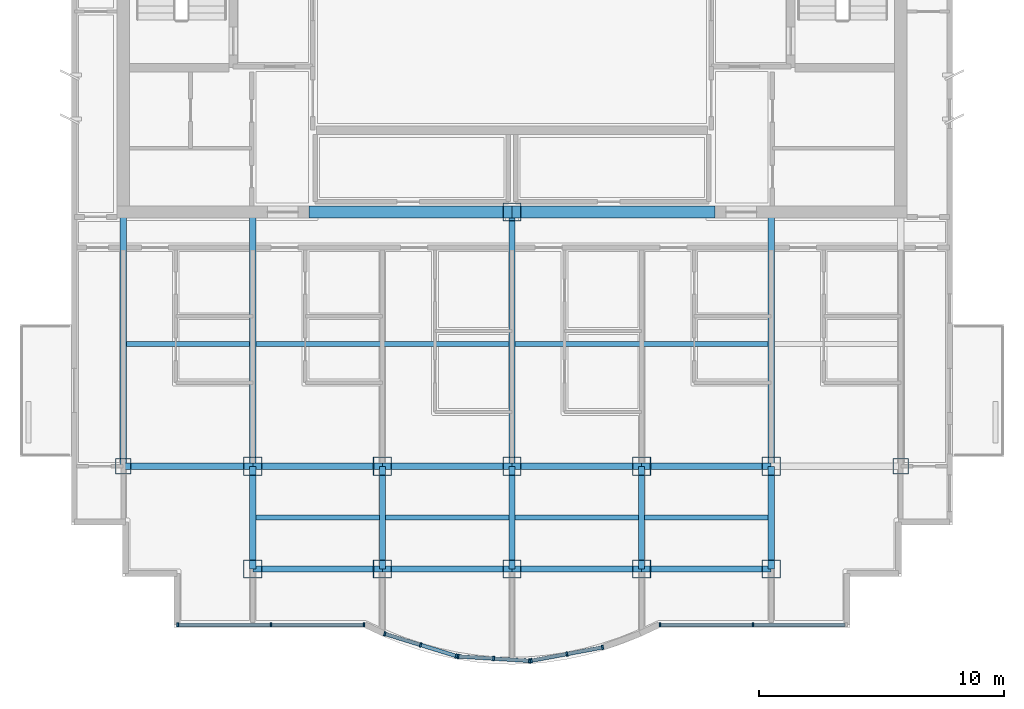
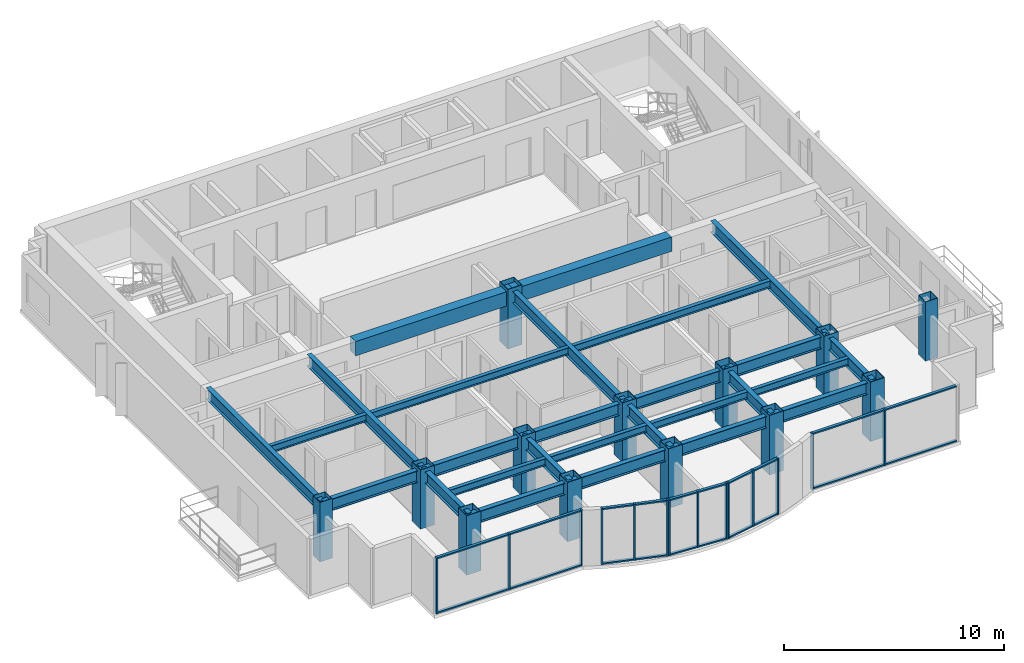
# One storey, part 1 of 9: 34 members, 27 beams, 13 columns, 5 elements without a shape of their own.
"""IFC4 building model written with IfcOpenShell, lengths in metres."""

from ifc_helpers import new_model, si_unit, direction, frame, origin, origin_2d, place, context, subcontext, project, spatial, rectangle, hollow_rectangle, i_section, extrude, source, transform, mapped, material, layer, layer_set, material_profile, profile_set, type_object, element, aggregate, save


model = new_model("IFC4")

# Units and contexts
model_context = context("Model", 3, precision=1e-05, world=origin(), true_north=direction((0.0, 1.0)))
body_context = subcontext(model_context, "Body", "Model", "MODEL_VIEW")
ifc_project = project(units=[si_unit("LENGTHUNIT", "METRE"), si_unit("AREAUNIT", "SQUARE_METRE"), si_unit("VOLUMEUNIT", "CUBIC_METRE"), si_unit("PLANEANGLEUNIT", "RADIAN"), si_unit("MASSUNIT", "GRAM", prefix="KILO")], contexts=[model_context])

# Site, building, storey
site_placement = place(None, origin())
site = spatial("IfcSite", under=ifc_project, at=site_placement, CompositionType="ELEMENT")
building_placement = place(site_placement, origin())
building = spatial("IfcBuilding", under=site, at=building_placement, Name="Qianlan Lanfeng Residences", CompositionType="ELEMENT")
storey_placement = place(building_placement, frame((0.0, 0.0, 233.0)))
storey = spatial("IfcBuildingStorey", under=building, at=storey_placement, Name="L64", CompositionType="ELEMENT", Elevation=233.0)

# Columns
ifc_material_1 = material(Name="Steel SN490B", Category="steel")
ifc_material_profile_1 = material_profile(ifc_material_1, hollow_rectangle(XDim=0.75, YDim=0.75, WallThickness=0.02490234375, at=origin_2d()), Name="BOX 750x750x25")
ifc_profile_set_1 = profile_set([ifc_material_profile_1], Name="Steel SN490B")
column_type_1 = type_object("IfcColumnType", Name="C-B800", PredefinedType="COLUMN", material=ifc_profile_set_1)
for number, where, z_axis, x_axis, name in (
    (1, (26.5, 25.199951171875, 0.0), (0.0, 0.0, 1.0), (1.0, 0.0, 0.0), "L64 Structural Column CP_26.5_25.2"),
    (2, (15.89990234375, 14.800048828125, 0.0), (0.0, 0.0, 1.0), (1.0, 0.0, 0.0), "L64 Structural Column M_15.90_14.80"),
    (3, (15.89990234375, 10.60009765625, 0.0), (0.0, 0.0, 1.0), (1.0, 0.0, 0.0), "L64 Structural Column G_15.90_10.60"),
    (4, (21.199951171875, 14.800048828125, 0.0), (0.0, 0.0, 1.0), (1.0, 0.0, 0.0), "L64 Structural Column M_21.20_14.80"),
    (5, (21.199951171875, 10.60009765625, 0.0), (0.0, 0.0, 1.0), (1.0, 0.0, 0.0), "L64 Structural Column G_21.20_10.60"),
    (6, (26.5, 14.800048828125, 0.0), (0.0, 0.0, 1.0), (1.0, 0.0, 0.0), "L64 Structural Column M_26.50_14.80"),
    (7, (26.5, 10.60009765625, 0.0), (0.0, 0.0, 1.0), (1.0, 0.0, 0.0), "L64 Structural Column G_26.50_10.60"),
    (8, (31.800048828125, 14.800048828125, 0.0), (0.0, 0.0, 1.0), (1.0, 0.0, 0.0), "L64 Structural Column M_31.80_14.80"),
    (9, (31.800048828125, 10.60009765625, 0.0), (0.0, 0.0, 1.0), (1.0, 0.0, 0.0), "L64 Structural Column G_31.80_10.60"),
    (10, (37.10009765625, 14.800048828125, 0.0), (0.0, 0.0, 1.0), (1.0, 0.0, 0.0), "L64 Structural Column M_37.10_14.80"),
    (11, (37.10009765625, 10.60009765625, 0.0), (0.0, 0.0, 1.0), (1.0, 0.0, 0.0), "L64 Structural Column G_37.10_10.60"),
):
    element("IfcColumn", number, at=place(storey_placement, frame(where, z_axis=z_axis, x_axis=x_axis)), inside=storey, type_object=column_type_1, Name=name, PredefinedType="COLUMN", context=body_context, shape_type="SweptSolid", body=[
        extrude(hollow_rectangle(XDim=0.75, YDim=0.75, WallThickness=0.02490234375, at=origin_2d()), origin(), (0.0, 0.0, 1.0), 3.300048828125),
    ])
ifc_material_profile_2 = material_profile(ifc_material_1, hollow_rectangle(XDim=0.64990234375, YDim=0.64990234375, WallThickness=0.02197265625, at=origin_2d()), Name="BOX 650x650x22")
ifc_profile_set_2 = profile_set([ifc_material_profile_2], Name="Steel SN490B")
column_type_2 = type_object("IfcColumnType", Name="CE-B700", PredefinedType="COLUMN", material=ifc_profile_set_2)
for number, where, z_axis, x_axis, name in (
    (12, (10.60009765625, 14.800048828125, 0.0), (0.0, 0.0, 1.0), (1.0, 0.0, 0.0), "L64 Structural Column M_10.60_14.80"),
    (13, (42.39990234375, 14.800048828125, 0.0), (0.0, 0.0, 1.0), (1.0, 0.0, 0.0), "L64 Structural Column M_42.40_14.80"),
):
    element("IfcColumn", number, at=place(storey_placement, frame(where, z_axis=z_axis, x_axis=x_axis)), inside=storey, type_object=column_type_2, Name=name, PredefinedType="COLUMN", context=body_context, shape_type="SweptSolid", body=[
        extrude(hollow_rectangle(XDim=0.64990234375, YDim=0.64990234375, WallThickness=0.02197265625, at=origin_2d()), origin(), (0.0, 0.0, 1.0), 3.300048828125),
    ])

# Beams
ifc_material_profile_3 = material_profile(ifc_material_1, i_section(OverallWidth=0.25, OverallDepth=0.64990234375, WebThickness=0.012939453125, FlangeThickness=0.02197265625, at=origin_2d()), Name="H 650x250x13x22")
ifc_profile_set_3 = profile_set([ifc_material_profile_3], Name="Steel SN490B")
beam_type_1 = type_object("IfcBeamType", Name="G-650", PredefinedType="BEAM", material=ifc_profile_set_3)
for number, where, z_axis, x_axis, name in (
    (14, (15.89990234375, 10.60009765625, 2.784912109375), (1.0, 0.0, 0.0), (0.0, 1.0, 0.0), "Structural beam G-650"),
    (15, (21.199951171875, 10.60009765625, 2.784912109375), (1.0, 0.0, 0.0), (0.0, 1.0, 0.0), "Structural beam G-650"),
    (16, (26.5, 10.60009765625, 2.784912109375), (1.0, 0.0, 0.0), (0.0, 1.0, 0.0), "Structural beam G-650"),
    (17, (31.800048828125, 10.60009765625, 2.784912109375), (1.0, 0.0, 0.0), (0.0, 1.0, 0.0), "Structural beam G-650"),
):
    element("IfcBeam", number, at=place(storey_placement, frame(where, z_axis=z_axis, x_axis=x_axis)), inside=storey, type_object=beam_type_1, Name=name, PredefinedType="BEAM", context=body_context, shape_type="SweptSolid", body=[
        extrude(i_section(OverallWidth=0.25, OverallDepth=0.64990234375, WebThickness=0.012939453125, FlangeThickness=0.02197265625, at=origin_2d()), origin(), (0.0, 0.0, 1.0), 5.300048828125),
    ])
beam_1_placement = place(storey_placement, frame((10.60009765625, 14.800048828125, 2.784912109375), z_axis=(1.0, 0.0, 0.0), x_axis=(0.0, 1.0, 0.0)))
element("IfcBeam", 18, at=beam_1_placement, inside=storey, type_object=beam_type_1, Name="Structural beam G-650", PredefinedType="BEAM", context=body_context, shape_type="SweptSolid", body=[
    extrude(i_section(OverallWidth=0.25, OverallDepth=0.64990234375, WebThickness=0.012939453125, FlangeThickness=0.02197265625, at=origin_2d()), origin(), (0.0, 0.0, 1.0), 5.2998046875),
])
for number, where, z_axis, x_axis, name in (
    (19, (15.89990234375, 14.800048828125, 2.784912109375), (1.0, 0.0, 0.0), (0.0, 1.0, 0.0), "Structural beam G-650"),
    (20, (21.199951171875, 14.800048828125, 2.784912109375), (1.0, 0.0, 0.0), (0.0, 1.0, 0.0), "Structural beam G-650"),
    (21, (26.5, 14.800048828125, 2.784912109375), (1.0, 0.0, 0.0), (0.0, 1.0, 0.0), "Structural beam G-650"),
    (22, (31.800048828125, 14.800048828125, 2.784912109375), (1.0, 0.0, 0.0), (0.0, 1.0, 0.0), "Structural beam G-650"),
):
    element("IfcBeam", number, at=place(storey_placement, frame(where, z_axis=z_axis, x_axis=x_axis)), inside=storey, type_object=beam_type_1, Name=name, PredefinedType="BEAM", context=body_context, shape_type="SweptSolid", body=[
        extrude(i_section(OverallWidth=0.25, OverallDepth=0.64990234375, WebThickness=0.012939453125, FlangeThickness=0.02197265625, at=origin_2d()), origin(), (0.0, 0.0, 1.0), 5.300048828125),
    ])
beam_2_placement = place(storey_placement, frame((10.60009765625, 14.800048828125, 2.784912109375), z_axis=(0.0, 1.0, 0.0), x_axis=(-1.0, 0.0, 0.0)))
element("IfcBeam", 23, at=beam_2_placement, inside=storey, type_object=beam_type_1, Name="Structural beam G-650", PredefinedType="BEAM", context=body_context, shape_type="SweptSolid", body=[
    extrude(i_section(OverallWidth=0.25, OverallDepth=0.64990234375, WebThickness=0.012939453125, FlangeThickness=0.02197265625, at=origin_2d()), origin(), (0.0, 0.0, 1.0), 10.39990234375),
])
beam_3_placement = place(storey_placement, frame((15.89990234375, 10.60009765625, 2.784912109375), z_axis=(0.0, 1.0, 0.0), x_axis=(-1.0, 0.0, 0.0)))
element("IfcBeam", 24, at=beam_3_placement, inside=storey, type_object=beam_type_1, Name="Structural beam G-650", PredefinedType="BEAM", context=body_context, shape_type="SweptSolid", body=[
    extrude(i_section(OverallWidth=0.25, OverallDepth=0.64990234375, WebThickness=0.012939453125, FlangeThickness=0.02197265625, at=origin_2d()), origin(), (0.0, 0.0, 1.0), 4.199951171875),
])
beam_4_placement = place(storey_placement, frame((15.89990234375, 14.800048828125, 2.784912109375), z_axis=(0.0, 1.0, 0.0), x_axis=(-1.0, 0.0, 0.0)))
element("IfcBeam", 25, at=beam_4_placement, inside=storey, type_object=beam_type_1, Name="Structural beam G-650", PredefinedType="BEAM", context=body_context, shape_type="SweptSolid", body=[
    extrude(i_section(OverallWidth=0.25, OverallDepth=0.64990234375, WebThickness=0.012939453125, FlangeThickness=0.02197265625, at=origin_2d()), origin(), (0.0, 0.0, 1.0), 10.39990234375),
])
for number, where, z_axis, x_axis, name in (
    (26, (21.199951171875, 10.60009765625, 2.784912109375), (0.0, 1.0, 0.0), (-1.0, 0.0, 0.0), "Structural beam G-650"),
    (27, (26.5, 10.60009765625, 2.784912109375), (0.0, 1.0, 0.0), (-1.0, 0.0, 0.0), "Structural beam G-650"),
):
    element("IfcBeam", number, at=place(storey_placement, frame(where, z_axis=z_axis, x_axis=x_axis)), inside=storey, type_object=beam_type_1, Name=name, PredefinedType="BEAM", context=body_context, shape_type="SweptSolid", body=[
        extrude(i_section(OverallWidth=0.25, OverallDepth=0.64990234375, WebThickness=0.012939453125, FlangeThickness=0.02197265625, at=origin_2d()), origin(), (0.0, 0.0, 1.0), 4.199951171875),
    ])
beam_5_placement = place(storey_placement, frame((26.5, 14.800048828125, 2.784912109375), z_axis=(0.0, 1.0, 0.0), x_axis=(-1.0, 0.0, 0.0)))
element("IfcBeam", 28, at=beam_5_placement, inside=storey, type_object=beam_type_1, Name="Structural beam G-650", PredefinedType="BEAM", context=body_context, shape_type="SweptSolid", body=[
    extrude(i_section(OverallWidth=0.25, OverallDepth=0.64990234375, WebThickness=0.012939453125, FlangeThickness=0.02197265625, at=origin_2d()), origin(), (0.0, 0.0, 1.0), 10.39990234375),
])
for number, where, z_axis, x_axis, name in (
    (29, (31.800048828125, 10.60009765625, 2.784912109375), (0.0, 1.0, 0.0), (-1.0, 0.0, 0.0), "Structural beam G-650"),
    (30, (37.10009765625, 10.60009765625, 2.784912109375), (0.0, 1.0, 0.0), (-1.0, 0.0, 0.0), "Structural beam G-650"),
):
    element("IfcBeam", number, at=place(storey_placement, frame(where, z_axis=z_axis, x_axis=x_axis)), inside=storey, type_object=beam_type_1, Name=name, PredefinedType="BEAM", context=body_context, shape_type="SweptSolid", body=[
        extrude(i_section(OverallWidth=0.25, OverallDepth=0.64990234375, WebThickness=0.012939453125, FlangeThickness=0.02197265625, at=origin_2d()), origin(), (0.0, 0.0, 1.0), 4.199951171875),
    ])
beam_6_placement = place(storey_placement, frame((37.10009765625, 14.800048828125, 2.784912109375), z_axis=(0.0, 1.0, 0.0), x_axis=(-1.0, 0.0, 0.0)))
element("IfcBeam", 31, at=beam_6_placement, inside=storey, type_object=beam_type_1, Name="Structural beam G-650", PredefinedType="BEAM", context=body_context, shape_type="SweptSolid", body=[
    extrude(i_section(OverallWidth=0.25, OverallDepth=0.64990234375, WebThickness=0.012939453125, FlangeThickness=0.02197265625, at=origin_2d()), origin(), (0.0, 0.0, 1.0), 10.39990234375),
])
ifc_material_profile_4 = material_profile(ifc_material_1, i_section(OverallWidth=0.199951171875, OverallDepth=0.39990234375, WebThickness=0.008056640625, FlangeThickness=0.012939453125, at=origin_2d()), Name="H 400x200x8x13")
ifc_profile_set_4 = profile_set([ifc_material_profile_4], Name="Steel SN490B")
beam_type_2 = type_object("IfcBeamType", Name="J-400", PredefinedType="JOIST", material=ifc_profile_set_4)
for number, where, z_axis, x_axis, name in (
    (32, (16.02490234375, 12.699951171875, 2.909912109375), (1.0, 0.0, 0.0), (0.0, 1.0, 0.0), "Structural beam J-400"),
    (33, (21.324951171875, 12.699951171875, 2.909912109375), (1.0, 0.0, 0.0), (0.0, 1.0, 0.0), "Structural beam J-400"),
    (34, (26.625, 12.699951171875, 2.909912109375), (1.0, 0.0, 0.0), (0.0, 1.0, 0.0), "Structural beam J-400"),
    (35, (31.925048828125, 12.699951171875, 2.909912109375), (1.0, 0.0, 0.0), (0.0, 1.0, 0.0), "Structural beam J-400"),
):
    element("IfcBeam", number, at=place(storey_placement, frame(where, z_axis=z_axis, x_axis=x_axis)), inside=storey, type_object=beam_type_2, Name=name, PredefinedType="JOIST", context=body_context, shape_type="SweptSolid", body=[
        extrude(i_section(OverallWidth=0.199951171875, OverallDepth=0.39990234375, WebThickness=0.008056640625, FlangeThickness=0.012939453125, at=origin_2d()), origin(), (0.0, 0.0, 1.0), 5.050048828125),
    ])
beam_7_placement = place(storey_placement, frame((10.72509765625, 19.800048828125, 2.909912109375), z_axis=(1.0, 0.0, 0.0), x_axis=(0.0, 1.0, 0.0)))
element("IfcBeam", 36, at=beam_7_placement, inside=storey, type_object=beam_type_2, Name="Structural beam J-400", PredefinedType="JOIST", context=body_context, shape_type="SweptSolid", body=[
    extrude(i_section(OverallWidth=0.199951171875, OverallDepth=0.39990234375, WebThickness=0.008056640625, FlangeThickness=0.012939453125, at=origin_2d()), origin(), (0.0, 0.0, 1.0), 5.0498046875),
])
for number, where, z_axis, x_axis, name in (
    (37, (16.02490234375, 19.800048828125, 2.909912109375), (1.0, 0.0, 0.0), (0.0, 1.0, 0.0), "Structural beam J-400"),
    (38, (26.625, 19.800048828125, 2.909912109375), (1.0, 0.0, 0.0), (0.0, 1.0, 0.0), "Structural beam J-400"),
):
    element("IfcBeam", number, at=place(storey_placement, frame(where, z_axis=z_axis, x_axis=x_axis)), inside=storey, type_object=beam_type_2, Name=name, PredefinedType="JOIST", context=body_context, shape_type="SweptSolid", body=[
        extrude(i_section(OverallWidth=0.199951171875, OverallDepth=0.39990234375, WebThickness=0.008056640625, FlangeThickness=0.012939453125, at=origin_2d()), origin(), (0.0, 0.0, 1.0), 10.35009765625),
    ])
ifc_material_2 = material(Name="Concrete C49", Category="concrete")
ifc_material_profile_5 = material_profile(ifc_material_2, rectangle(XDim=0.5, YDim=0.800048828125, at=origin_2d()), Name="RC 500x800")
ifc_profile_set_5 = profile_set([ifc_material_profile_5], Name="Concrete C49")
beam_type_3 = type_object("IfcBeamType", Name="LB-RC750", PredefinedType="BEAM", material=ifc_profile_set_5)
for number, where, z_axis, x_axis, name in (
    (39, (18.199951171875, 25.199951171875, 2.7099609375), (1.0, 0.0, 0.0), (0.0, 1.0, 0.0), "L64 Core Coupling Beam W"),
    (40, (26.5, 25.199951171875, 2.7099609375), (1.0, 0.0, 0.0), (0.0, 1.0, 0.0), "L64 Core Coupling Beam E"),
):
    element("IfcBeam", number, at=place(storey_placement, frame(where, z_axis=z_axis, x_axis=x_axis)), inside=storey, type_object=beam_type_3, Name=name, PredefinedType="BEAM", context=body_context, shape_type="SweptSolid", body=[
        extrude(rectangle(XDim=0.5, YDim=0.800048828125, at=origin_2d()), origin(), (0.0, 0.0, 1.0), 8.300048828125),
    ])

# Curtain wall, members
ifc_material_3 = material(Name="Anodised Bronze Aluminium 6063-T6", Category="aluminium")
ifc_layer = layer(ifc_material_3, 0.219970703125)
ifc_layer_set = layer_set([ifc_layer], Name="Anodised Bronze Aluminium 6063-T6")
curtain_wall_type = type_object("IfcCurtainWallType", Name="CW-06", PredefinedType="NOTDEFINED", material=ifc_layer_set)
curtain_wall_1_placement = place(storey_placement, origin())
curtain_wall_1 = element("IfcCurtainWall", 41, at=curtain_wall_1_placement, inside=storey, type_object=curtain_wall_type, Name="L64 Unitised Curtain Wall CWR-L64-01 (CW-06)", PredefinedType="NOTDEFINED")
ifc_material_profile_6 = material_profile(ifc_material_3, rectangle(XDim=0.074951171875, YDim=0.179931640625, at=origin_2d()), Name="ALU MULLION 75x180")
ifc_profile_set_6 = profile_set([ifc_material_profile_6], Name="Anodised Bronze Aluminium 6063-T6")
member_type_1 = type_object("IfcMemberType", Name="CWM-180", PredefinedType="MULLION", material=ifc_profile_set_6)
shared_shape_1 = source(origin(), body_context, "Body", "SweptSolid", [
    extrude(rectangle(XDim=0.074951171875, YDim=0.179931640625, at=origin_2d()), origin(), (0.0, 0.0, 1.0), 3.110107421875),
])
member_1_placement = place(storey_placement, frame((12.83740234375, 8.320068359375, 0.0), z_axis=(0.0, 0.0, 1.0), x_axis=(1.0, 0.0, 0.0)))
member_1 = element("IfcMember", 42, at=member_1_placement, type_object=member_type_1, Name="CWR-L64-01 Mullion 1", PredefinedType="MULLION", context=body_context, shape_type="MappedRepresentation", body=[
    mapped(shared_shape_1, transform((0.0, 0.0, 0.0), scale=1.0)),
])
member_2_placement = place(storey_placement, frame((16.6435546875, 8.320068359375, 0.0), z_axis=(0.0, 0.0, 1.0), x_axis=(1.0, 0.0, 0.0)))
member_2 = element("IfcMember", 43, at=member_2_placement, type_object=member_type_1, Name="CWR-L64-01 Mullion 2", PredefinedType="MULLION", context=body_context, shape_type="MappedRepresentation", body=[
    mapped(shared_shape_1, transform((0.0, 0.0, 0.0), scale=1.0)),
])
member_3_placement = place(storey_placement, frame((20.449462890625, 8.320068359375, 0.0), z_axis=(0.0, 0.0, 1.0), x_axis=(1.0, 0.0, 0.0)))
member_3 = element("IfcMember", 44, at=member_3_placement, type_object=member_type_1, Name="CWR-L64-01 Mullion 3", PredefinedType="MULLION", context=body_context, shape_type="MappedRepresentation", body=[
    mapped(shared_shape_1, transform((0.0, 0.0, 0.0), scale=1.0)),
])

curtain_wall_2_placement = place(storey_placement, origin())
curtain_wall_2 = element("IfcCurtainWall", 45, at=curtain_wall_2_placement, inside=storey, type_object=curtain_wall_type, Name="L64 Unitised Curtain Wall CWR-L64-02 (CW-06)", PredefinedType="NOTDEFINED")
member_4_placement = place(storey_placement, frame((21.298828125, 7.947021484375, 0.0), z_axis=(0.0, 0.0, 1.0), x_axis=(0.955079962155, -0.296348217287, 0.0)))
member_4 = element("IfcMember", 46, at=member_4_placement, type_object=member_type_1, Name="CWR-L64-02 Mullion 1", PredefinedType="MULLION", context=body_context, shape_type="MappedRepresentation", body=[
    mapped(shared_shape_1, transform((0.0, 0.0, 0.0), scale=1.0)),
])
member_5_placement = place(storey_placement, frame((22.760009765625, 7.493408203125, 0.0), z_axis=(0.0, 0.0, 1.0), x_axis=(0.955079962155, -0.296348217287, 0.0)))
member_5 = element("IfcMember", 47, at=member_5_placement, type_object=member_type_1, Name="CWR-L64-02 Mullion 2", PredefinedType="MULLION", context=body_context, shape_type="MappedRepresentation", body=[
    mapped(shared_shape_1, transform((0.0, 0.0, 0.0), scale=1.0)),
])
member_6_placement = place(storey_placement, frame((24.22119140625, 7.0400390625, 0.0), z_axis=(0.0, 0.0, 1.0), x_axis=(0.955079962155, -0.296348217287, 0.0)))
member_6 = element("IfcMember", 48, at=member_6_placement, type_object=member_type_1, Name="CWR-L64-02 Mullion 3", PredefinedType="MULLION", context=body_context, shape_type="MappedRepresentation", body=[
    mapped(shared_shape_1, transform((0.0, 0.0, 0.0), scale=1.0)),
])

curtain_wall_3_placement = place(storey_placement, origin())
curtain_wall_3 = element("IfcCurtainWall", 49, at=curtain_wall_3_placement, inside=storey, type_object=curtain_wall_type, Name="L64 Unitised Curtain Wall CWR-L64-03 (CW-06)", PredefinedType="NOTDEFINED")
member_7_placement = place(storey_placement, frame((24.29443359375, 7.026611328125, 0.0), z_axis=(0.0, 0.0, 1.0), x_axis=(0.998072054859, -0.062065878781, 0.0)))
member_7 = element("IfcMember", 50, at=member_7_placement, type_object=member_type_1, Name="CWR-L64-03 Mullion 1", PredefinedType="MULLION", context=body_context, shape_type="MappedRepresentation", body=[
    mapped(shared_shape_1, transform((0.0, 0.0, 0.0), scale=1.0)),
])
member_8_placement = place(storey_placement, frame((25.75244140625, 6.93603515625, 0.0), z_axis=(0.0, 0.0, 1.0), x_axis=(0.998072054859, -0.062065878781, 0.0)))
member_8 = element("IfcMember", 51, at=member_8_placement, type_object=member_type_1, Name="CWR-L64-03 Mullion 2", PredefinedType="MULLION", context=body_context, shape_type="MappedRepresentation", body=[
    mapped(shared_shape_1, transform((0.0, 0.0, 0.0), scale=1.0)),
])
member_9_placement = place(storey_placement, frame((27.210693359375, 6.84521484375, 0.0), z_axis=(0.0, 0.0, 1.0), x_axis=(0.998072054859, -0.062065878781, 0.0)))
member_9 = element("IfcMember", 52, at=member_9_placement, type_object=member_type_1, Name="CWR-L64-03 Mullion 3", PredefinedType="MULLION", context=body_context, shape_type="MappedRepresentation", body=[
    mapped(shared_shape_1, transform((0.0, 0.0, 0.0), scale=1.0)),
])

curtain_wall_4_placement = place(storey_placement, origin())
curtain_wall_4 = element("IfcCurtainWall", 53, at=curtain_wall_4_placement, inside=storey, type_object=curtain_wall_type, Name="L64 Unitised Curtain Wall CWR-L64-04 (CW-06)", PredefinedType="NOTDEFINED")
member_10_placement = place(storey_placement, frame((27.284912109375, 6.849853515625, 0.0), z_axis=(0.0, 0.0, 1.0), x_axis=(0.983039214023, 0.183395484386, 0.0)))
member_10 = element("IfcMember", 54, at=member_10_placement, type_object=member_type_1, Name="CWR-L64-04 Mullion 1", PredefinedType="MULLION", context=body_context, shape_type="MappedRepresentation", body=[
    mapped(shared_shape_1, transform((0.0, 0.0, 0.0), scale=1.0)),
])
member_11_placement = place(storey_placement, frame((28.743408203125, 7.1220703125, 0.0), z_axis=(0.0, 0.0, 1.0), x_axis=(0.983039214023, 0.183395484386, 0.0)))
member_11 = element("IfcMember", 55, at=member_11_placement, type_object=member_type_1, Name="CWR-L64-04 Mullion 2", PredefinedType="MULLION", context=body_context, shape_type="MappedRepresentation", body=[
    mapped(shared_shape_1, transform((0.0, 0.0, 0.0), scale=1.0)),
])
member_12_placement = place(storey_placement, frame((30.2021484375, 7.39404296875, 0.0), z_axis=(0.0, 0.0, 1.0), x_axis=(0.983039214023, 0.183395484386, 0.0)))
member_12 = element("IfcMember", 56, at=member_12_placement, type_object=member_type_1, Name="CWR-L64-04 Mullion 3", PredefinedType="MULLION", context=body_context, shape_type="MappedRepresentation", body=[
    mapped(shared_shape_1, transform((0.0, 0.0, 0.0), scale=1.0)),
])

curtain_wall_5_placement = place(storey_placement, origin())
curtain_wall_5 = element("IfcCurtainWall", 57, at=curtain_wall_5_placement, inside=storey, type_object=curtain_wall_type, Name="L64 Unitised Curtain Wall CWR-L64-05 (CW-06)", PredefinedType="NOTDEFINED")
member_13_placement = place(storey_placement, frame((32.550537109375, 8.320068359375, 0.0), z_axis=(0.0, 0.0, 1.0), x_axis=(1.0, 0.0, 0.0)))
member_13 = element("IfcMember", 58, at=member_13_placement, type_object=member_type_1, Name="CWR-L64-05 Mullion 1", PredefinedType="MULLION", context=body_context, shape_type="MappedRepresentation", body=[
    mapped(shared_shape_1, transform((0.0, 0.0, 0.0), scale=1.0)),
])
member_14_placement = place(storey_placement, frame((36.3564453125, 8.320068359375, 0.0), z_axis=(0.0, 0.0, 1.0), x_axis=(1.0, 0.0, 0.0)))
member_14 = element("IfcMember", 59, at=member_14_placement, type_object=member_type_1, Name="CWR-L64-05 Mullion 2", PredefinedType="MULLION", context=body_context, shape_type="MappedRepresentation", body=[
    mapped(shared_shape_1, transform((0.0, 0.0, 0.0), scale=1.0)),
])

# Member
ifc_material_profile_7 = material_profile(ifc_material_3, rectangle(XDim=0.074951171875, YDim=0.14990234375, at=origin_2d()), Name="ALU TRANSOM 75x150")
ifc_profile_set_7 = profile_set([ifc_material_profile_7], Name="Anodised Bronze Aluminium 6063-T6")
member_type_2 = type_object("IfcMemberType", Name="CWT-150", PredefinedType="USERDEFINED", material=ifc_profile_set_7)
shared_shape_2 = source(origin(), body_context, "Body", "SweptSolid", [
    extrude(rectangle(XDim=0.074951171875, YDim=0.14990234375, at=origin_2d()), origin(), (0.0, 0.0, 1.0), 3.73095703125),
])
member_15_placement = place(storey_placement, frame((12.875, 8.320068359375, 0.03759765625), z_axis=(1.0, 0.0, 0.0), x_axis=(0.0, 0.0, 1.0)))
member_15 = element("IfcMember", 60, at=member_15_placement, type_object=member_type_2, Name="CWR-L64-01 Transom 1-BOT", ObjectType="TRANSOM", PredefinedType="USERDEFINED", context=body_context, shape_type="MappedRepresentation", body=[
    mapped(shared_shape_2, transform((0.0, 0.0, 0.0), scale=1.0)),
])

member_16_placement = place(storey_placement, frame((12.875, 8.320068359375, 3.072509765625), z_axis=(1.0, 0.0, 0.0), x_axis=(0.0, 0.0, 1.0)))
member_16 = element("IfcMember", 61, at=member_16_placement, type_object=member_type_2, Name="CWR-L64-01 Transom 1-TOP", ObjectType="TRANSOM", PredefinedType="USERDEFINED", context=body_context, shape_type="MappedRepresentation", body=[
    mapped(shared_shape_2, transform((0.0, 0.0, 0.0), scale=1.0)),
])

member_17_placement = place(storey_placement, frame((36.39404296875, 8.320068359375, 0.03759765625), z_axis=(1.0, 0.0, 0.0), x_axis=(0.0, 0.0, 1.0)))
member_17 = element("IfcMember", 62, at=member_17_placement, type_object=member_type_2, Name="CWR-L64-05 Transom 2-BOT", ObjectType="TRANSOM", PredefinedType="USERDEFINED", context=body_context, shape_type="MappedRepresentation", body=[
    mapped(shared_shape_2, transform((0.0, 0.0, 0.0), scale=1.0)),
])

member_18_placement = place(storey_placement, frame((36.39404296875, 8.320068359375, 3.072509765625), z_axis=(1.0, 0.0, 0.0), x_axis=(0.0, 0.0, 1.0)))
member_18 = element("IfcMember", 63, at=member_18_placement, type_object=member_type_2, Name="CWR-L64-05 Transom 2-TOP", ObjectType="TRANSOM", PredefinedType="USERDEFINED", context=body_context, shape_type="MappedRepresentation", body=[
    mapped(shared_shape_2, transform((0.0, 0.0, 0.0), scale=1.0)),
])

shared_shape_3 = source(origin(), body_context, "Body", "SweptSolid", [
    extrude(rectangle(XDim=0.074951171875, YDim=0.14990234375, at=origin_2d()), origin(), (0.0, 0.0, 1.0), 3.731201171875),
])
member_19_placement = place(storey_placement, frame((16.680908203125, 8.320068359375, 0.03759765625), z_axis=(1.0, 0.0, 0.0), x_axis=(0.0, 0.0, 1.0)))
member_19 = element("IfcMember", 64, at=member_19_placement, type_object=member_type_2, Name="CWR-L64-01 Transom 2-BOT", ObjectType="TRANSOM", PredefinedType="USERDEFINED", context=body_context, shape_type="MappedRepresentation", body=[
    mapped(shared_shape_3, transform((0.0, 0.0, 0.0), scale=1.0)),
])

member_20_placement = place(storey_placement, frame((16.680908203125, 8.320068359375, 3.072509765625), z_axis=(1.0, 0.0, 0.0), x_axis=(0.0, 0.0, 1.0)))
member_20 = element("IfcMember", 65, at=member_20_placement, type_object=member_type_2, Name="CWR-L64-01 Transom 2-TOP", ObjectType="TRANSOM", PredefinedType="USERDEFINED", context=body_context, shape_type="MappedRepresentation", body=[
    mapped(shared_shape_3, transform((0.0, 0.0, 0.0), scale=1.0)),
])

aggregate(curtain_wall_1, [member_1, member_2, member_3, member_15, member_16, member_19, member_20])

member_21_placement = place(storey_placement, frame((32.587890625, 8.320068359375, 0.03759765625), z_axis=(1.0, 0.0, 0.0), x_axis=(0.0, 0.0, 1.0)))
member_21 = element("IfcMember", 66, at=member_21_placement, type_object=member_type_2, Name="CWR-L64-05 Transom 1-BOT", ObjectType="TRANSOM", PredefinedType="USERDEFINED", context=body_context, shape_type="MappedRepresentation", body=[
    mapped(shared_shape_3, transform((0.0, 0.0, 0.0), scale=1.0)),
])

member_22_placement = place(storey_placement, frame((32.587890625, 8.320068359375, 3.072509765625), z_axis=(1.0, 0.0, 0.0), x_axis=(0.0, 0.0, 1.0)))
member_22 = element("IfcMember", 67, at=member_22_placement, type_object=member_type_2, Name="CWR-L64-05 Transom 1-TOP", ObjectType="TRANSOM", PredefinedType="USERDEFINED", context=body_context, shape_type="MappedRepresentation", body=[
    mapped(shared_shape_3, transform((0.0, 0.0, 0.0), scale=1.0)),
])

aggregate(curtain_wall_5, [member_13, member_14, member_21, member_22, member_17, member_18])

shared_shape_4 = source(origin(), body_context, "Body", "SweptSolid", [
    extrude(rectangle(XDim=0.074951171875, YDim=0.14990234375, at=origin_2d()), origin(), (0.0, 0.0, 1.0), 1.454833984375),
])
member_23_placement = place(storey_placement, frame((21.334716796875, 7.935791015625, 0.03759765625), z_axis=(0.955072327302, -0.296372822002, 0.0), x_axis=(0.0, 0.0, 1.0)))
member_23 = element("IfcMember", 68, at=member_23_placement, type_object=member_type_2, Name="CWR-L64-02 Transom 1-BOT", ObjectType="TRANSOM", PredefinedType="USERDEFINED", context=body_context, shape_type="MappedRepresentation", body=[
    mapped(shared_shape_4, transform((0.0, 0.0, 0.0), scale=1.0)),
])

member_24_placement = place(storey_placement, frame((21.334716796875, 7.935791015625, 3.072509765625), z_axis=(0.955072327302, -0.296372822002, 0.0), x_axis=(0.0, 0.0, 1.0)))
member_24 = element("IfcMember", 69, at=member_24_placement, type_object=member_type_2, Name="CWR-L64-02 Transom 1-TOP", ObjectType="TRANSOM", PredefinedType="USERDEFINED", context=body_context, shape_type="MappedRepresentation", body=[
    mapped(shared_shape_4, transform((0.0, 0.0, 0.0), scale=1.0)),
])

member_25_placement = place(storey_placement, frame((22.7958984375, 7.482421875, 0.03759765625), z_axis=(0.955072327302, -0.296372822002, 0.0), x_axis=(0.0, 0.0, 1.0)))
member_25 = element("IfcMember", 70, at=member_25_placement, type_object=member_type_2, Name="CWR-L64-02 Transom 2-BOT", ObjectType="TRANSOM", PredefinedType="USERDEFINED", context=body_context, shape_type="MappedRepresentation", body=[
    mapped(shared_shape_4, transform((0.0, 0.0, 0.0), scale=1.0)),
])

member_26_placement = place(storey_placement, frame((22.7958984375, 7.482421875, 3.072509765625), z_axis=(0.955072327302, -0.296372822002, 0.0), x_axis=(0.0, 0.0, 1.0)))
member_26 = element("IfcMember", 71, at=member_26_placement, type_object=member_type_2, Name="CWR-L64-02 Transom 2-TOP", ObjectType="TRANSOM", PredefinedType="USERDEFINED", context=body_context, shape_type="MappedRepresentation", body=[
    mapped(shared_shape_4, transform((0.0, 0.0, 0.0), scale=1.0)),
])

aggregate(curtain_wall_2, [member_4, member_5, member_6, member_23, member_24, member_25, member_26])

shared_shape_5 = source(origin(), body_context, "Body", "SweptSolid", [
    extrude(rectangle(XDim=0.074951171875, YDim=0.14990234375, at=origin_2d()), origin(), (0.0, 0.0, 1.0), 1.385986328125),
])
member_27_placement = place(storey_placement, frame((24.331787109375, 7.0244140625, 0.03759765625), z_axis=(0.998064896304, -0.062180887468, 0.0), x_axis=(0.0, 0.0, 1.0)))
member_27 = element("IfcMember", 72, at=member_27_placement, type_object=member_type_2, Name="CWR-L64-03 Transom 1-BOT", ObjectType="TRANSOM", PredefinedType="USERDEFINED", context=body_context, shape_type="MappedRepresentation", body=[
    mapped(shared_shape_5, transform((0.0, 0.0, 0.0), scale=1.0)),
])

member_28_placement = place(storey_placement, frame((24.331787109375, 7.0244140625, 3.072509765625), z_axis=(0.998064896304, -0.062180887468, 0.0), x_axis=(0.0, 0.0, 1.0)))
member_28 = element("IfcMember", 73, at=member_28_placement, type_object=member_type_2, Name="CWR-L64-03 Transom 1-TOP", ObjectType="TRANSOM", PredefinedType="USERDEFINED", context=body_context, shape_type="MappedRepresentation", body=[
    mapped(shared_shape_5, transform((0.0, 0.0, 0.0), scale=1.0)),
])

member_29_placement = place(storey_placement, frame((25.789794921875, 6.93359375, 0.03759765625), z_axis=(0.998075812955, -0.062005415842, 0.0), x_axis=(0.0, 0.0, 1.0)))
member_29 = element("IfcMember", 74, at=member_29_placement, type_object=member_type_2, Name="CWR-L64-03 Transom 2-BOT", ObjectType="TRANSOM", PredefinedType="USERDEFINED", context=body_context, shape_type="MappedRepresentation", body=[
    mapped(shared_shape_5, transform((0.0, 0.0, 0.0), scale=1.0)),
])

member_30_placement = place(storey_placement, frame((25.789794921875, 6.93359375, 3.072509765625), z_axis=(0.998075812955, -0.062005415842, 0.0), x_axis=(0.0, 0.0, 1.0)))
member_30 = element("IfcMember", 75, at=member_30_placement, type_object=member_type_2, Name="CWR-L64-03 Transom 2-TOP", ObjectType="TRANSOM", PredefinedType="USERDEFINED", context=body_context, shape_type="MappedRepresentation", body=[
    mapped(shared_shape_5, transform((0.0, 0.0, 0.0), scale=1.0)),
])

aggregate(curtain_wall_3, [member_7, member_8, member_9, member_27, member_28, member_29, member_30])

shared_shape_6 = source(origin(), body_context, "Body", "SweptSolid", [
    extrude(rectangle(XDim=0.074951171875, YDim=0.14990234375, at=origin_2d()), origin(), (0.0, 0.0, 1.0), 1.40869140625),
])
member_31_placement = place(storey_placement, frame((27.32177734375, 6.856689453125, 0.03759765625), z_axis=(0.98304441684, 0.183367593973, 0.0), x_axis=(0.0, 0.0, 1.0)))
member_31 = element("IfcMember", 76, at=member_31_placement, type_object=member_type_2, Name="CWR-L64-04 Transom 1-BOT", ObjectType="TRANSOM", PredefinedType="USERDEFINED", context=body_context, shape_type="MappedRepresentation", body=[
    mapped(shared_shape_6, transform((0.0, 0.0, 0.0), scale=1.0)),
])

member_32_placement = place(storey_placement, frame((27.32177734375, 6.856689453125, 3.072509765625), z_axis=(0.98304441684, 0.183367593973, 0.0), x_axis=(0.0, 0.0, 1.0)))
member_32 = element("IfcMember", 77, at=member_32_placement, type_object=member_type_2, Name="CWR-L64-04 Transom 1-TOP", ObjectType="TRANSOM", PredefinedType="USERDEFINED", context=body_context, shape_type="MappedRepresentation", body=[
    mapped(shared_shape_6, transform((0.0, 0.0, 0.0), scale=1.0)),
])

member_33_placement = place(storey_placement, frame((28.780517578125, 7.12890625, 0.03759765625), z_axis=(0.98304441684, 0.183367593973, 0.0), x_axis=(0.0, 0.0, 1.0)))
member_33 = element("IfcMember", 78, at=member_33_placement, type_object=member_type_2, Name="CWR-L64-04 Transom 2-BOT", ObjectType="TRANSOM", PredefinedType="USERDEFINED", context=body_context, shape_type="MappedRepresentation", body=[
    mapped(shared_shape_6, transform((0.0, 0.0, 0.0), scale=1.0)),
])

member_34_placement = place(storey_placement, frame((28.780517578125, 7.12890625, 3.072509765625), z_axis=(0.98304441684, 0.183367593973, 0.0), x_axis=(0.0, 0.0, 1.0)))
member_34 = element("IfcMember", 79, at=member_34_placement, type_object=member_type_2, Name="CWR-L64-04 Transom 2-TOP", ObjectType="TRANSOM", PredefinedType="USERDEFINED", context=body_context, shape_type="MappedRepresentation", body=[
    mapped(shared_shape_6, transform((0.0, 0.0, 0.0), scale=1.0)),
])

aggregate(curtain_wall_4, [member_10, member_11, member_12, member_31, member_32, member_33, member_34])

save(model, "model.ifc")
